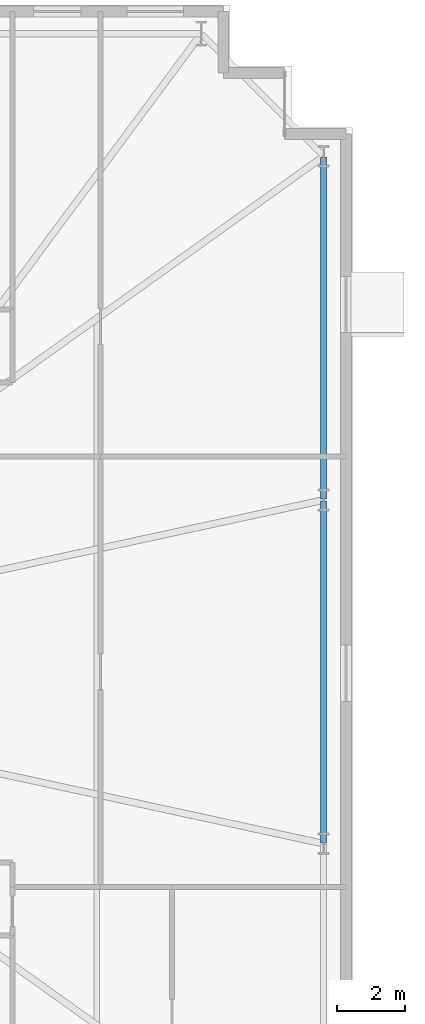
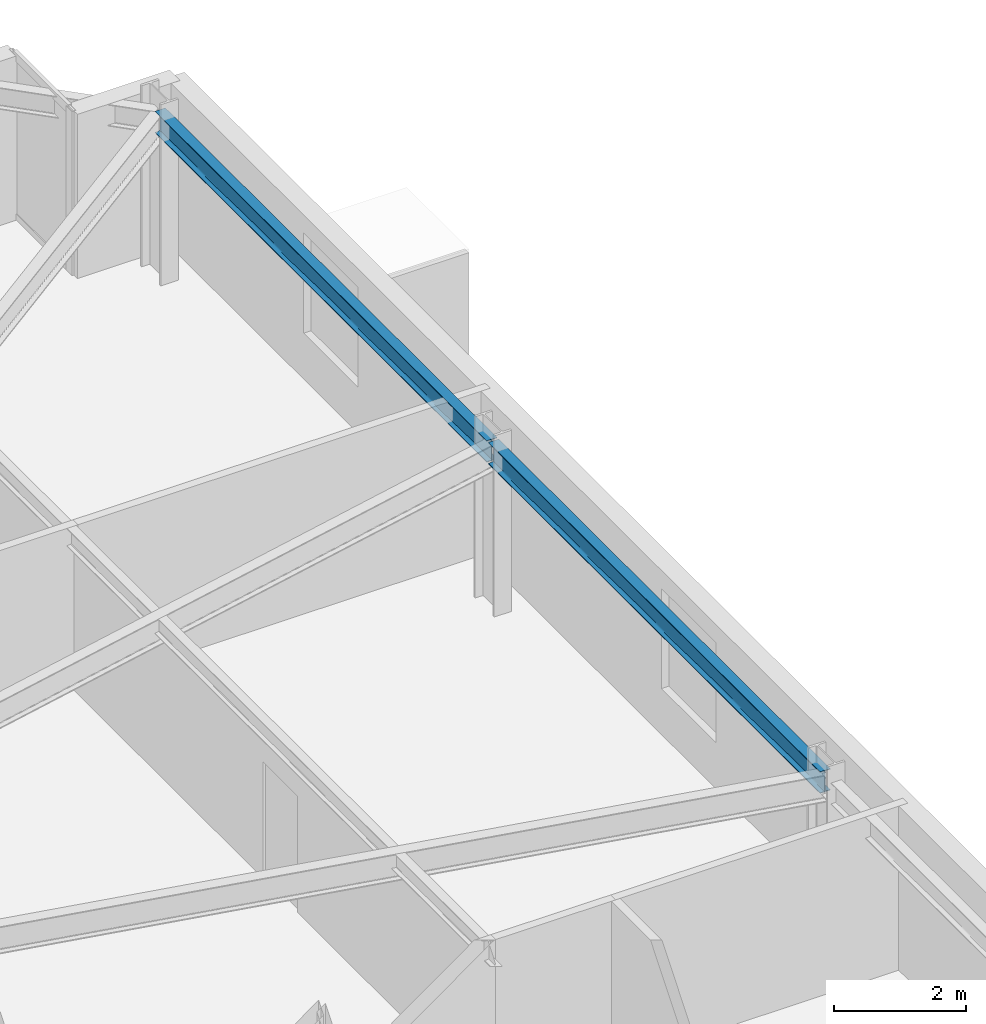
# One storey, part 11 of 21: 2 beams.
"""IFC4 building model written with IfcOpenShell, lengths in metres."""

import ifcopenshell
import ifcopenshell.guid

model = None  # the IFC model being written
_history = None  # IfcOwnerHistory: only IFC2X3 demands one
_inside = {}  # id of a spatial element -> (the spatial element, [elements in it])
_under = {}  # id of a project, library or spatial element -> (it, [spatial elements below it])
_declared = {}  # id of a project -> (the project, [libraries it declares])
_typed = {}  # id of a type object -> (the type object, [elements of that type])
_made_of = {}  # id of a material, layer set ... -> (it, [elements and type objects made of it])


def new_model(schema):
    """Start an empty IFC model of exactly this schema.

    Asked for "IFC4X3", IfcOpenShell would pick the latest addendum, in which some entities
    have other attributes; the version numbers below select the first issue.
    IFC2X3 requires an IfcOwnerHistory on every rooted entity: one is made here for all.
    """
    global model, _history
    if schema == "IFC4X3":
        model = ifcopenshell.file(schema_version=(4, 3, 0, 0))
    else:
        model = ifcopenshell.file(schema=schema)
    _inside.clear()
    _under.clear()
    _declared.clear()
    _typed.clear()
    _made_of.clear()
    _history = None
    if model.schema == "IFC2X3":
        org = make("IfcOrganization", Name="unknown")
        user = make(
            "IfcPersonAndOrganization",
            ThePerson=make("IfcPerson", FamilyName="unknown"),
            TheOrganization=org,
        )
        app = make(
            "IfcApplication",
            ApplicationDeveloper=org,
            Version="unknown",
            ApplicationFullName="unknown",
            ApplicationIdentifier="unknown",
        )
        _history = make(
            "IfcOwnerHistory",
            OwningUser=user,
            OwningApplication=app,
            ChangeAction="ADDED",
            CreationDate=0,
        )
    return model


def make(cls, **values):
    """One entity of the class cls with the attributes given. An attribute that is None is left unset."""
    return model.create_entity(
        cls, **{name: value for name, value in values.items() if value is not None}
    )


def rooted(cls, **values):
    """An entity with a GlobalId (a new one), such as an element, a storey or a relation."""
    return make(cls, GlobalId=ifcopenshell.guid.new(), OwnerHistory=_history, **values)


def si_unit(unit_type, name, prefix=None):
    """IfcSIUnit, for example si_unit("LENGTHUNIT", "METRE", prefix="MILLI")."""
    return make("IfcSIUnit", UnitType=unit_type, Prefix=prefix, Name=name)


def assignment(units):
    """IfcUnitAssignment: the units of a project."""
    return None if units is None else make("IfcUnitAssignment", Units=units)


def point(xyz):
    """IfcCartesianPoint."""
    return None if xyz is None else make("IfcCartesianPoint", Coordinates=xyz)


def direction(xyz):
    """IfcDirection."""
    return None if xyz is None else make("IfcDirection", DirectionRatios=xyz)


def frame(location, z_axis=None, x_axis=None):
    """IfcAxis2Placement3D, a coordinate frame: its origin and axes. An axis left out is left unset."""
    return make(
        "IfcAxis2Placement3D",
        Location=point(location),
        Axis=direction(z_axis),
        RefDirection=direction(x_axis),
    )


def frame_2d(location, x_axis=None):
    """IfcAxis2Placement2D, a coordinate frame in the plane: its origin and x axis."""
    return make(
        "IfcAxis2Placement2D", Location=point(location), RefDirection=direction(x_axis)
    )


def origin():
    """The frame at (0, 0, 0) with its axes left unset."""
    return frame((0.0, 0.0, 0.0))


def origin_2d():
    """The frame at (0, 0) in the plane with its x axis left unset."""
    return frame_2d((0.0, 0.0))


def place(relative_to, where):
    """IfcLocalPlacement: puts the frame where relative to a parent placement (None: the world)."""
    return make(
        "IfcLocalPlacement", PlacementRelTo=relative_to, RelativePlacement=where
    )


def context(
    kind, dimensions, precision=None, world=None, true_north=None, identifier=None
):
    """IfcGeometricRepresentationContext, for example the 3D "Model" context."""
    return make(
        "IfcGeometricRepresentationContext",
        ContextIdentifier=identifier,
        ContextType=kind,
        CoordinateSpaceDimension=dimensions,
        Precision=precision,
        WorldCoordinateSystem=world,
        TrueNorth=true_north,
    )


def subcontext(parent, identifier, kind, view, scale=None):
    """IfcGeometricRepresentationSubContext, for example "Body" below "Model"."""
    return make(
        "IfcGeometricRepresentationSubContext",
        ContextIdentifier=identifier,
        ContextType=kind,
        ParentContext=parent,
        TargetScale=scale,
        TargetView=view,
    )


def project(units=None, contexts=None):
    """IfcProject with its units and contexts."""
    return rooted(
        "IfcProject",
        Name="project",
        RepresentationContexts=contexts,
        UnitsInContext=assignment(units),
    )


def spatial(cls, under=None, at=None, **own):
    """A site, building, storey or space (cls), placed at a placement, below another one or the project."""
    s = rooted(cls, ObjectPlacement=at, **own)
    if under is not None:
        _under.setdefault(under.id(), (under, []))[1].append(s)
    return s


def profile(cls, at=None, kind="AREA", **sizes):
    """A parametric profile (cls). Its sizes go by their IFC names, for example OverallWidth=200.0."""
    return make(cls, ProfileType=kind, Position=at, **sizes)


def i_section(**sizes):
    """IfcIShapeProfileDef."""
    return profile("IfcIShapeProfileDef", **sizes)


def extrude(swept, where, along, depth):
    """IfcExtrudedAreaSolid: the profile swept, set in the frame where, extruded along a direction by depth."""
    return make(
        "IfcExtrudedAreaSolid",
        SweptArea=swept,
        Position=where,
        ExtrudedDirection=direction(along),
        Depth=depth,
    )


def shape(context_of_items, identifier, shape_type, items):
    """IfcShapeRepresentation: the items that make up one representation, for example the "Body"."""
    return make(
        "IfcShapeRepresentation",
        ContextOfItems=context_of_items,
        RepresentationIdentifier=identifier,
        RepresentationType=shape_type,
        Items=items,
    )


def material(Name=None, Category=None):
    """IfcMaterial."""
    return make("IfcMaterial", Name=Name, Category=Category)


def material_profile(
    of_material, cross_section, Name=None, Category=None, Priority=None
):
    """IfcMaterialProfile: a cross section and its material."""
    return make(
        "IfcMaterialProfile",
        Name=Name,
        Material=of_material,
        Profile=cross_section,
        Priority=Priority,
        Category=Category,
    )


def profile_set(profiles, Name=None, composite=None):
    """IfcMaterialProfileSet."""
    return make(
        "IfcMaterialProfileSet",
        Name=Name,
        MaterialProfiles=profiles,
        CompositeProfile=composite,
    )


def made_of(thing, what):
    """Note that an element or type object is made of a material, layer set ...; save() writes the relation."""
    if what is not None:
        _made_of.setdefault(what.id(), (what, []))[1].append(thing)
    return thing


def type_object(cls, material=None, **own):
    """A type object (cls), such as IfcWallType, which elements share."""
    return made_of(rooted(cls, **own), material)


def element(
    cls,
    number,
    at=None,
    inside=None,
    cuts=None,
    type_object=None,
    material=None,
    context=None,
    identifier="Body",
    shape_type=None,
    held_by="IfcProductDefinitionShape",
    body=None,
    shapes=None,
    **own,
):
    """One element of the class cls, such as IfcWall. Its Tag is "e" and its number.

    at: its placement. inside: the storey or other place that contains it. cuts: it is an
    opening in that element (IfcRelVoidsElement). A single representation is given by context,
    identifier, shape_type and body (its items); several are given by shapes. held_by: the class
    of the entity that holds the representations. save() writes the other relations.
    """
    e = rooted(cls, Tag="e%d" % number, ObjectPlacement=at, **own)
    if body is not None:
        shapes = [shape(context, identifier, shape_type, body)]
    if shapes is not None:
        e.Representation = make(held_by, Representations=shapes)
    if inside is not None:
        _inside.setdefault(inside.id(), (inside, []))[1].append(e)
    if cuts is not None:
        rooted(
            "IfcRelVoidsElement", RelatingBuildingElement=cuts, RelatedOpeningElement=e
        )
    if type_object is not None:
        _typed.setdefault(type_object.id(), (type_object, []))[1].append(e)
    return made_of(e, material)


def aggregate(whole, parts):
    """IfcRelAggregates: a whole, such as a stair, and the parts it consists of."""
    return rooted("IfcRelAggregates", RelatingObject=whole, RelatedObjects=parts)


def save(model, path):
    """Write the relations noted so far, then the file.

    IfcRelAggregates (storeys below a building ...), IfcRelContainedInSpatialStructure (elements
    in a storey), IfcRelDefinesByType, IfcRelAssociatesMaterial and IfcRelDeclares: one each for
    every whole, place, type object, material and project.
    """
    for whole, parts in _under.values():
        aggregate(whole, parts)
    for where, things in _inside.values():
        rooted(
            "IfcRelContainedInSpatialStructure",
            RelatedElements=things,
            RelatingStructure=where,
        )
    for kind, things in _typed.values():
        rooted("IfcRelDefinesByType", RelatedObjects=things, RelatingType=kind)
    for what, things in _made_of.values():
        rooted("IfcRelAssociatesMaterial", RelatedObjects=things, RelatingMaterial=what)
    for by, libraries in _declared.values():
        rooted("IfcRelDeclares", RelatingContext=by, RelatedDefinitions=libraries)
    model.write(path)


model = new_model("IFC4")

# Units and contexts
model_context = context("Model", 3, precision=1e-05, world=origin(), true_north=direction((0.0, 1.0)))
body_context = subcontext(model_context, "Body", "Model", "MODEL_VIEW")
ifc_project = project(units=[si_unit("LENGTHUNIT", "METRE"), si_unit("AREAUNIT", "SQUARE_METRE"), si_unit("VOLUMEUNIT", "CUBIC_METRE"), si_unit("PLANEANGLEUNIT", "RADIAN"), si_unit("MASSUNIT", "GRAM", prefix="KILO")], contexts=[model_context])

# Site, building, storey
site_placement = place(None, origin())
site = spatial("IfcSite", under=ifc_project, at=site_placement, CompositionType="ELEMENT")
building_placement = place(site_placement, origin())
building = spatial("IfcBuilding", under=site, at=building_placement, Name="Qobustan Lattice House", CompositionType="ELEMENT")
storey_placement = place(building_placement, frame((0.0, 0.0, 37.050048828125)))
storey = spatial("IfcBuildingStorey", under=building, at=storey_placement, Name="L09", CompositionType="ELEMENT", Elevation=37.050048828125)

# Beams
ifc_material = material(Name="Steel S355", Category="steel")
ifc_material_profile = material_profile(ifc_material, i_section(OverallWidth=0.179931640625, OverallDepth=0.39990234375, WebThickness=0.008544921875, FlangeThickness=0.013427734375, FilletRadius=0.02099609375, at=origin_2d()), Name="IPE400")
ifc_profile_set = profile_set([ifc_material_profile], Name="Steel S355")
beam_type = type_object("IfcBeamType", Name="BM-SPD-IPE400", PredefinedType="SPANDREL", material=ifc_profile_set)
beam_1_placement = place(storey_placement, frame((32.14990234375, -5.02490234375, 2.8349609375), z_axis=(0.0, 1.0, 0.0), x_axis=(-1.0, 0.0, 0.0)))
element("IfcBeam", 1, at=beam_1_placement, inside=storey, type_object=beam_type, Name="L09 perimeter spandrel E2-E3", PredefinedType="SPANDREL", context=body_context, shape_type="SweptSolid", body=[
    extrude(i_section(OverallWidth=0.179931640625, OverallDepth=0.39990234375, WebThickness=0.008544921875, FlangeThickness=0.013427734375, FilletRadius=0.02099609375, at=origin_2d()), origin(), (0.0, 0.0, 1.0), 10.0498046875),
])
beam_2_placement = place(storey_placement, frame((32.14990234375, 5.074951171875, 2.8349609375), z_axis=(0.0, 1.0, 0.0), x_axis=(-1.0, 0.0, 0.0)))
element("IfcBeam", 2, at=beam_2_placement, inside=storey, type_object=beam_type, Name="L09 perimeter spandrel E3-E4", PredefinedType="SPANDREL", context=body_context, shape_type="SweptSolid", body=[
    extrude(i_section(OverallWidth=0.179931640625, OverallDepth=0.39990234375, WebThickness=0.008544921875, FlangeThickness=0.013427734375, FilletRadius=0.02099609375, at=origin_2d()), origin(), (0.0, 0.0, 1.0), 10.050048828125),
])

save(model, "model.ifc")
